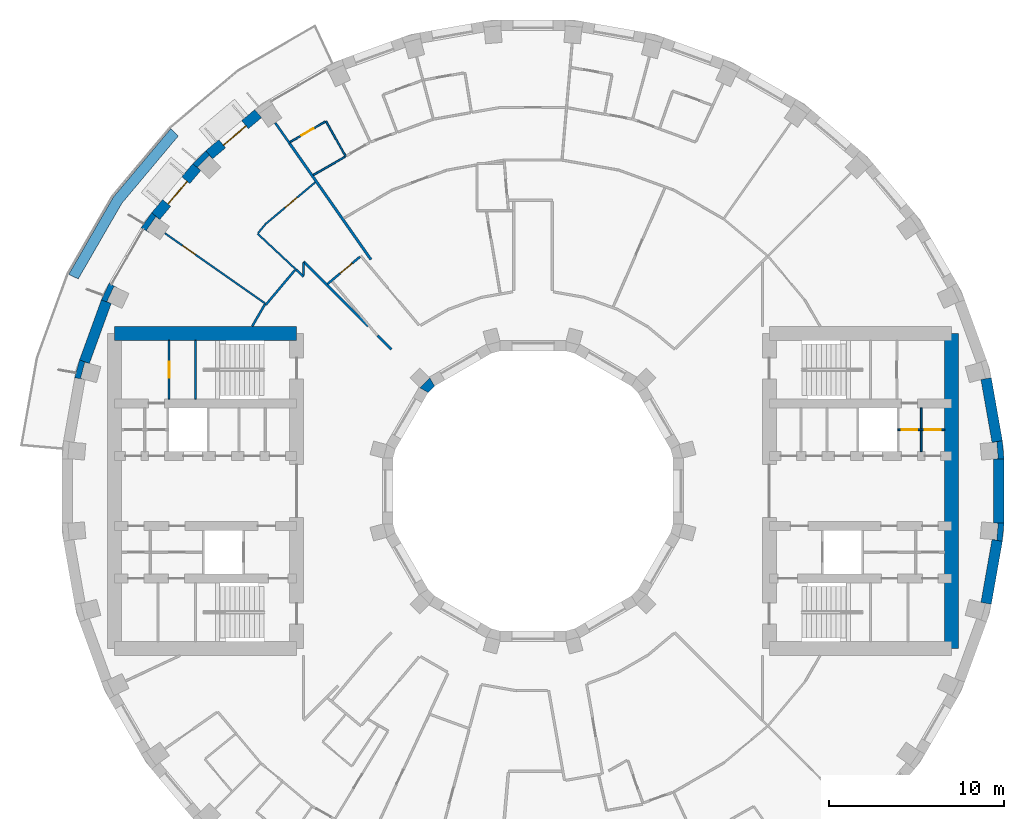
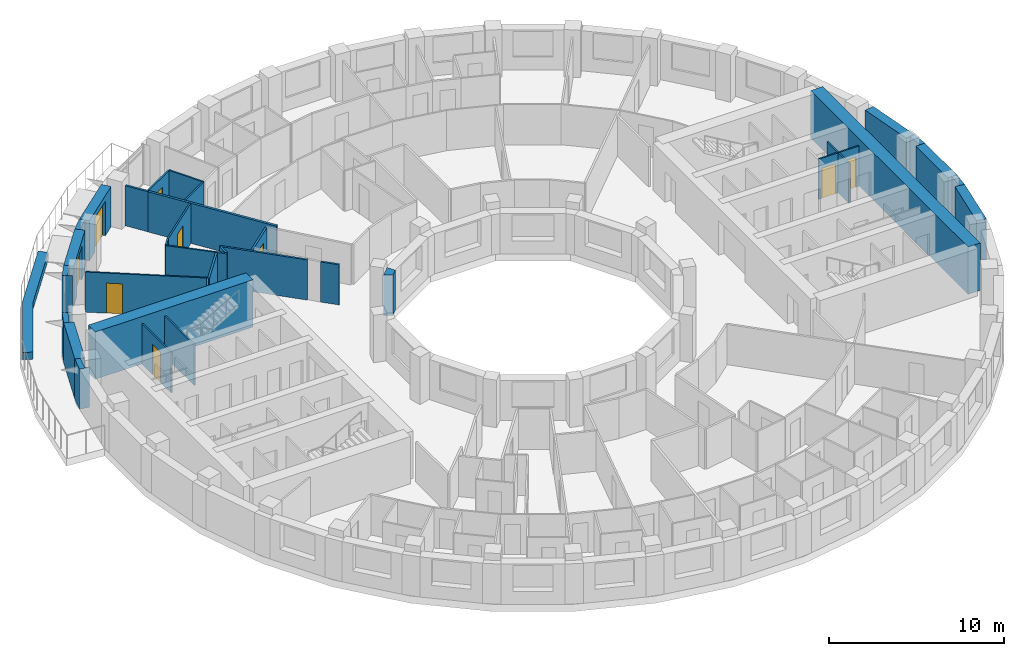
# One storey, part 10 of 14: 37 walls, 9 doors, 9 openings.
"""IFC4 building model written with IfcOpenShell, lengths in metres."""

from ifc_helpers import new_model, si_unit, direction, frame, frame_2d, origin, place, context, subcontext, project, spatial, polyline, rectangle, outline, extrude, material, layer, layer_set, type_object, element, fill, save


model = new_model("IFC4")

# Units and contexts
model_context = context("Model", 3, precision=1e-05, world=origin(), true_north=direction((0.0, 1.0)))
body_context = subcontext(model_context, "Body", "Model", "MODEL_VIEW")
ifc_project = project(units=[si_unit("LENGTHUNIT", "METRE"), si_unit("AREAUNIT", "SQUARE_METRE"), si_unit("VOLUMEUNIT", "CUBIC_METRE"), si_unit("PLANEANGLEUNIT", "RADIAN"), si_unit("MASSUNIT", "GRAM", prefix="KILO")], contexts=[model_context])

# Site, building, storey
site_placement = place(None, origin())
site = spatial("IfcSite", under=ifc_project, at=site_placement, CompositionType="ELEMENT")
building_placement = place(site_placement, origin())
building = spatial("IfcBuilding", under=site, at=building_placement, Name="Saqina Gate Tower", CompositionType="ELEMENT")
storey_placement = place(building_placement, frame((0.0, 0.0, 101.800048828125)))
storey = spatial("IfcBuildingStorey", under=building, at=storey_placement, Name="L28", CompositionType="ELEMENT", Elevation=101.800048828125)

# Walls
ifc_material_1 = material(Name="Brick masonry (buff)", Category="masonry")
wall_type_1 = type_object("IfcWallType", Name="BRICK PIER COPING BUFF", PredefinedType="SOLIDWALL", material=ifc_material_1)
wall_1_placement = place(storey_placement, origin())
element("IfcWall", 1, at=wall_1_placement, inside=storey, type_object=wall_type_1, Name="Pier cap L28 column 1", PredefinedType="SOLIDWALL", context=body_context, shape_type="SweptSolid", body=[
    extrude(outline(polyline([(26.805419921875, 2.87451171875), (26.214599609375, 2.770263671875), (26.482421875, 2.793701171875), (26.565185546875, 1.847412109375), (26.29736328125, 1.823974609375), (26.897216796875, 1.823974609375), (26.805419921875, 2.87451171875)])), origin(), (0.0, 0.0, 1.0), 2.800048828125),
])
wall_2_placement = place(storey_placement, origin())
element("IfcWall", 2, at=wall_2_placement, inside=storey, type_object=wall_type_1, Name="Pier cap L28 column 14", PredefinedType="SOLIDWALL", context=body_context, shape_type="SweptSolid", body=[
    extrude(outline(polyline([(-18.686279296875, 19.43212890625), (-19.43212890625, 18.686279296875), (-18.972412109375, 18.30078125), (-19.16259765625, 18.49072265625), (-18.49072265625, 19.16259765625), (-18.30078125, 18.972412109375), (-18.686279296875, 19.43212890625)])), origin(), (0.0, 0.0, 1.0), 2.800048828125),
])
wall_3_placement = place(storey_placement, origin())
element("IfcWall", 3, at=wall_3_placement, inside=storey, type_object=wall_type_1, Name="Pier cap L28 column 15", PredefinedType="SOLIDWALL", context=body_context, shape_type="SweptSolid", body=[
    extrude(outline(polyline([(-22.3818359375, 15.0283203125), (-21.862060546875, 14.728271484375), (-22.08251953125, 14.88232421875), (-21.53759765625, 15.66064453125), (-21.317138671875, 15.50634765625), (-21.77685546875, 15.89208984375), (-22.3818359375, 15.0283203125)])), origin(), (0.0, 0.0, 1.0), 2.800048828125),
])
wall_4_placement = place(storey_placement, origin())
element("IfcWall", 4, at=wall_4_placement, inside=storey, type_object=wall_type_1, Name="Pier cap L28 column 16", PredefinedType="SOLIDWALL", context=body_context, shape_type="SweptSolid", body=[
    extrude(outline(polyline([(-24.6513671875, 10.913330078125), (-24.08740234375, 10.7080078125), (-24.331298828125, 10.82177734375), (-23.9296875, 11.6826171875), (-23.68603515625, 11.569091796875), (-24.205810546875, 11.869140625), (-24.6513671875, 10.913330078125)])), origin(), (0.0, 0.0, 1.0), 2.800048828125),
])
wall_5_placement = place(storey_placement, origin())
element("IfcWall", 5, at=wall_5_placement, inside=storey, type_object=wall_type_1, Name="Pier cap L28 column 17", PredefinedType="SOLIDWALL", context=body_context, shape_type="SweptSolid", body=[
    extrude(outline(polyline([(-25.89892578125, 7.485595703125), (-26.171875, 6.466796875), (-25.5810546875, 6.36279296875), (-25.8408203125, 6.43212890625), (-25.5947265625, 7.349853515625), (-25.335205078125, 7.2802734375), (-25.89892578125, 7.485595703125)])), origin(), (0.0, 0.0, 1.0), 2.800048828125),
])
wall_6_placement = place(storey_placement, origin())
element("IfcWall", 6, at=wall_6_placement, inside=storey, type_object=wall_type_1, Name="Pier cap L28 column 36", PredefinedType="SOLIDWALL", context=body_context, shape_type="SweptSolid", body=[
    extrude(outline(polyline([(26.805419921875, -2.87451171875), (26.897216796875, -1.823974609375), (26.29736328125, -1.823974609375), (26.565185546875, -1.847412109375), (26.482421875, -2.793701171875), (26.214599609375, -2.770263671875), (26.805419921875, -2.87451171875)])), origin(), (0.0, 0.0, 1.0), 2.800048828125),
])
ifc_material_2 = material(Name="Gypsum board on steel studs", Category="steel")
ifc_layer_1 = layer(ifc_material_2, 0.10009765625)
ifc_layer_set_1 = layer_set([ifc_layer_1], Name="CORE PARTITION")
wall_type_2 = type_object("IfcWallType", Name="CORE PARTITION", PredefinedType="PARTITIONING", material=ifc_layer_set_1)
wall_7_placement = place(storey_placement, frame((22.169921875, 2.25, 0.0), z_axis=(0.0, 0.0, 1.0), x_axis=(0.0, 1.0, 0.0)))
element("IfcWall", 7, at=wall_7_placement, inside=storey, type_object=wall_type_2, Name="L28-CP-E05", PredefinedType="PARTITIONING", context=body_context, shape_type="SweptSolid", body=[
    extrude(rectangle(XDim=2.5, YDim=0.10009765625, at=frame_2d((1.25, 0.0))), origin(), (0.0, 0.0, 1.0), 2.800048828125),
])

# Wall, opening, door
wall_8_placement = place(storey_placement, frame((20.840087890625, 3.5, 0.0), z_axis=(0.0, 0.0, 1.0), x_axis=(1.0, 0.0, 0.0)))
wall_8 = element("IfcWall", 8, at=wall_8_placement, inside=storey, type_object=wall_type_2, Name="L28-CP-E09", PredefinedType="PARTITIONING", context=body_context, shape_type="SweptSolid", body=[
    extrude(rectangle(XDim=1.329833984375, YDim=0.10009765625, at=frame_2d((0.6650390625, 0.0))), origin(), (0.0, 0.0, 1.0), 2.800048828125),
])
opening_1_placement = place(wall_8_placement, frame((0.215087890625, 0.0, 0.0)))
opening_1 = element("IfcOpeningElement", 9, at=opening_1_placement, cuts=wall_8, Name="Opening G08-D99", PredefinedType="OPENING", context=body_context, shape_type="SweptSolid", body=[
    extrude(rectangle(XDim=0.89990234375, YDim=2.10009765625, at=frame_2d((0.449951171875, 1.050048828125))), frame((0.0, 0.06201171875, 0.0), z_axis=(0.0, -1.0, 0.0), x_axis=(1.0, 0.0, 0.0)), (0.0, 0.0, 1.0), 0.1240234375),
])
ifc_material_3 = material(Name="Steel-framed fire door leaf, EI 60", Category="steel")
door_type_1 = type_object("IfcDoorType", Name="SERVICE ROOM DOOR 900", OperationType="SINGLE_SWING_LEFT", PredefinedType="DOOR", material=ifc_material_3)
door_1_placement = place(opening_1_placement, origin())
door_1 = element("IfcDoor", 10, at=door_1_placement, inside=storey, type_object=door_type_1, Name="L28-CD-E10", OperationType="SINGLE_SWING_LEFT", OverallHeight=2.10009765625, OverallWidth=0.89990234375, PredefinedType="DOOR", context=body_context, shape_type="SweptSolid", body=[
    extrude(rectangle(XDim=0.89990234375, YDim=2.10009765625, at=frame_2d((0.449951171875, 1.050048828125))), frame((0.0, 0.02490234375, 0.0), z_axis=(0.0, -1.0, 0.0), x_axis=(1.0, 0.0, 0.0)), (0.0, 0.0, 1.0), 0.050048828125),
])
fill(opening_1, door_1)

wall_9_placement = place(storey_placement, frame((22.169921875, 3.5, 0.0), z_axis=(0.0, 0.0, 1.0), x_axis=(1.0, 0.0, 0.0)))
wall_9 = element("IfcWall", 11, at=wall_9_placement, inside=storey, type_object=wall_type_2, Name="L28-CP-E10", PredefinedType="PARTITIONING", context=body_context, shape_type="SweptSolid", body=[
    extrude(rectangle(XDim=1.330078125, YDim=0.10009765625, at=frame_2d((0.6650390625, 0.0))), origin(), (0.0, 0.0, 1.0), 2.800048828125),
])
opening_2_placement = place(wall_9_placement, frame((0.215087890625, 0.0, 0.0)))
opening_2 = element("IfcOpeningElement", 12, at=opening_2_placement, cuts=wall_9, Name="Opening G08-D98", PredefinedType="OPENING", context=body_context, shape_type="SweptSolid", body=[
    extrude(rectangle(XDim=0.89990234375, YDim=2.10009765625, at=frame_2d((0.449951171875, 1.050048828125))), frame((0.0, 0.06201171875, 0.0), z_axis=(0.0, -1.0, 0.0), x_axis=(1.0, 0.0, 0.0)), (0.0, 0.0, 1.0), 0.1240234375),
])
door_2_placement = place(opening_2_placement, origin())
door_2 = element("IfcDoor", 13, at=door_2_placement, inside=storey, type_object=door_type_1, Name="L28-CD-E09", OperationType="SINGLE_SWING_RIGHT", OverallHeight=2.10009765625, OverallWidth=0.89990234375, PredefinedType="DOOR", context=body_context, shape_type="SweptSolid", body=[
    extrude(rectangle(XDim=0.89990234375, YDim=2.10009765625, at=frame_2d((0.449951171875, 1.050048828125))), frame((0.0, 0.02490234375, 0.0), z_axis=(0.0, -1.0, 0.0), x_axis=(1.0, 0.0, 0.0)), (0.0, 0.0, 1.0), 0.050048828125),
])
fill(opening_2, door_2)

wall_10_placement = place(storey_placement, frame((-20.782958984375, 5.25, 0.0), z_axis=(0.0, 0.0, 1.0), x_axis=(0.0, 1.0, 0.0)))
wall_10 = element("IfcWall", 14, at=wall_10_placement, inside=storey, type_object=wall_type_2, Name="L28-CP-W14", PredefinedType="PARTITIONING", context=body_context, shape_type="SweptSolid", body=[
    extrude(rectangle(XDim=3.35009765625, YDim=0.10009765625, at=frame_2d((1.675048828125, 0.0))), origin(), (0.0, 0.0, 1.0), 2.800048828125),
])
opening_3_placement = place(wall_10_placement, frame((1.22509765625, 0.0, 0.0)))
opening_3 = element("IfcOpeningElement", 15, at=opening_3_placement, cuts=wall_10, Name="Opening G08-D120", PredefinedType="OPENING", context=body_context, shape_type="SweptSolid", body=[
    extrude(rectangle(XDim=0.89990234375, YDim=2.10009765625, at=frame_2d((0.449951171875, 1.050048828125))), frame((0.0, 0.06201171875, 0.0), z_axis=(0.0, -1.0, 0.0), x_axis=(1.0, 0.0, 0.0)), (0.0, 0.0, 1.0), 0.1240234375),
])
door_3_placement = place(opening_3_placement, origin())
door_3 = element("IfcDoor", 16, at=door_3_placement, inside=storey, type_object=door_type_1, Name="L28-CD-W31", OperationType="SINGLE_SWING_RIGHT", OverallHeight=2.10009765625, OverallWidth=0.89990234375, PredefinedType="DOOR", context=body_context, shape_type="SweptSolid", body=[
    extrude(rectangle(XDim=0.89990234375, YDim=2.10009765625, at=frame_2d((0.449951171875, 1.050048828125))), frame((0.0, 0.02490234375, 0.0), z_axis=(0.0, -1.0, 0.0), x_axis=(1.0, 0.0, 0.0)), (0.0, 0.0, 1.0), 0.050048828125),
])
fill(opening_3, door_3)

ifc_material_4 = material(Name="Brick masonry (buff)", Category="masonry")
ifc_layer_2 = layer(ifc_material_4, 0.60009765625)
ifc_layer_set_2 = layer_set([ifc_layer_2], Name="FW-BRICK-BUFF")
wall_type_3 = type_object("IfcWallType", Name="FW-BRICK-BUFF", PredefinedType="SOLIDWALL", material=ifc_layer_set_2)
wall_11_placement = place(storey_placement, frame((-15.69921875, 21.547119140625, 0.0), z_axis=(0.0, 0.0, 1.0), x_axis=(-0.766055462616, -0.642774476932, 0.0)))
wall_11 = element("IfcWall", 17, at=wall_11_placement, inside=storey, type_object=wall_type_3, Name="Facade wall L28 facet 13", PredefinedType="SOLIDWALL", context=body_context, shape_type="SweptSolid", body=[
    extrude(rectangle(XDim=3.647705078125, YDim=0.60009765625, at=frame_2d((1.82373046875, 0.0))), origin(), (0.0, 0.0, 1.0), 2.800048828125),
])
opening_4_placement = place(wall_11_placement, frame((0.973876953125, 0.0, 0.0)))
opening_4 = element("IfcOpeningElement", 18, at=opening_4_placement, cuts=wall_11, Name="Opening G08-D80", PredefinedType="OPENING", context=body_context, shape_type="SweptSolid", body=[
    extrude(rectangle(XDim=1.699951171875, YDim=2.39990234375, at=frame_2d((0.85009765625, 1.199951171875))), frame((0.0, 0.31201171875, 0.0), z_axis=(0.0, -1.0, 0.0), x_axis=(1.0, 0.0, 0.0)), (0.0, 0.0, 1.0), 0.6240234375),
])
ifc_material_5 = material(Name="Aluminium glazing", Category="aluminium")
door_type_2 = type_object("IfcDoorType", Name="GD-B", OperationType="DOUBLE_DOOR_SINGLE_SWING", PredefinedType="DOOR", material=ifc_material_5)
door_4_placement = place(opening_4_placement, frame((1.699951171875, 0.0, 0.0), z_axis=(0.0, 0.0, 1.0), x_axis=(-1.0, 0.0, 0.0)))
door_4 = element("IfcDoor", 19, at=door_4_placement, inside=storey, type_object=door_type_2, Name="Terrace door L28 facet 13", OperationType="DOUBLE_DOOR_SINGLE_SWING", OverallHeight=2.39990234375, OverallWidth=1.699951171875, PredefinedType="DOOR", context=body_context, shape_type="SweptSolid", body=[
    extrude(rectangle(XDim=1.699951171875, YDim=2.39990234375, at=frame_2d((0.85009765625, 1.199951171875))), frame((0.0, -0.0751953125, 0.0), z_axis=(0.0, -1.0, 0.0), x_axis=(1.0, 0.0, 0.0)), (0.0, 0.0, 1.0), 0.050048828125),
])
fill(opening_4, door_4)

wall_12_placement = place(storey_placement, frame((-19.202392578125, 18.49365234375, 0.0), z_axis=(0.0, 0.0, 1.0), x_axis=(-0.642774476932, -0.766055462616, 0.0)))
wall_12 = element("IfcWall", 20, at=wall_12_placement, inside=storey, type_object=wall_type_3, Name="Facade wall L28 facet 14", PredefinedType="SOLIDWALL", context=body_context, shape_type="SweptSolid", body=[
    extrude(rectangle(XDim=3.647705078125, YDim=0.60009765625, at=frame_2d((1.82373046875, 0.0))), origin(), (0.0, 0.0, 1.0), 2.800048828125),
])
opening_5_placement = place(wall_12_placement, frame((0.973876953125, 0.0, 0.0)))
opening_5 = element("IfcOpeningElement", 21, at=opening_5_placement, cuts=wall_12, Name="Opening G08-D81", PredefinedType="OPENING", context=body_context, shape_type="SweptSolid", body=[
    extrude(rectangle(XDim=1.699951171875, YDim=2.39990234375, at=frame_2d((0.85009765625, 1.199951171875))), frame((0.0, 0.31201171875, 0.0), z_axis=(0.0, -1.0, 0.0), x_axis=(1.0, 0.0, 0.0)), (0.0, 0.0, 1.0), 0.6240234375),
])
door_5_placement = place(opening_5_placement, frame((1.699951171875, 0.0, 0.0), z_axis=(0.0, 0.0, 1.0), x_axis=(-1.0, 0.0, 0.0)))
door_5 = element("IfcDoor", 22, at=door_5_placement, inside=storey, type_object=door_type_2, Name="Terrace door L28 facet 14", OperationType="DOUBLE_DOOR_SINGLE_SWING", OverallHeight=2.39990234375, OverallWidth=1.699951171875, PredefinedType="DOOR", context=body_context, shape_type="SweptSolid", body=[
    extrude(rectangle(XDim=1.699951171875, YDim=2.39990234375, at=frame_2d((0.85009765625, 1.199951171875))), frame((0.0, -0.0751953125, 0.0), z_axis=(0.0, -1.0, 0.0), x_axis=(1.0, 0.0, 0.0)), (0.0, 0.0, 1.0), 0.050048828125),
])
fill(opening_5, door_5)

# Walls
ifc_material_6 = material(Name="Glazed ceramic tile", Category="ceramic")
ifc_layer_3 = layer(ifc_material_6, 0.60009765625)
ifc_layer_set_3 = layer_set([ifc_layer_3], Name="FW-TILE")
wall_type_4 = type_object("IfcWallType", Name="FW-TILE", PredefinedType="SOLIDWALL", material=ifc_layer_set_3)
for number, where, z_axis, x_axis, name in (
    (23, (26.510009765625, 2.822265625, 0.0), (0.0, 0.0, 1.0), (-0.173670796382, 0.984803764455, 0.0), "Facade wall L28 facet 1"),
    (24, (25.87646484375, -6.414794921875, 0.0), (0.0, 0.0, 1.0), (0.173670796382, 0.984803764455, 0.0), "Facade wall L28 facet 35"),
):
    element("IfcWall", number, at=place(storey_placement, frame(where, z_axis=z_axis, x_axis=x_axis)), inside=storey, type_object=wall_type_4, Name=name, PredefinedType="SOLIDWALL", context=body_context, shape_type="SweptSolid", body=[
        extrude(rectangle(XDim=3.64794921875, YDim=0.60009765625, at=frame_2d((1.823974609375, 0.0))), origin(), (0.0, 0.0, 1.0), 2.800048828125),
    ])
ifc_material_7 = material(Name="Glazed ceramic tile (white)", Category="ceramic")
ifc_layer_4 = layer(ifc_material_7, 0.60009765625)
ifc_layer_set_4 = layer_set([ifc_layer_4], Name="FW-TILE-WH")
wall_type_5 = type_object("IfcWallType", Name="FW-TILE-WH", PredefinedType="SOLIDWALL", material=ifc_layer_set_4)
for number, where, z_axis, x_axis, name in (
    (25, (-24.369384765625, 10.810791015625, 0.0), (0.0, 0.0, 1.0), (-0.341990236633, -0.939703505393, 0.0), "Facade wall L28 facet 16"),
    (26, (26.59716796875, -1.823974609375, 0.0), (0.0, 0.0, 1.0), (0.0, 1.0, 0.0), "Facade wall L28 facet 36"),
):
    element("IfcWall", number, at=place(storey_placement, frame(where, z_axis=z_axis, x_axis=x_axis)), inside=storey, type_object=wall_type_5, Name=name, PredefinedType="SOLIDWALL", context=body_context, shape_type="SweptSolid", body=[
        extrude(rectangle(XDim=3.64794921875, YDim=0.60009765625, at=frame_2d((1.823974609375, 0.0))), origin(), (0.0, 0.0, 1.0), 2.800048828125),
    ])
ifc_material_8 = material(Name="Gypsum board on steel studs, 100 mm", Category="steel")
ifc_layer_5 = layer(ifc_material_8, 0.10009765625)
ifc_layer_set_5 = layer_set([ifc_layer_5], Name="PARTITION 100")
wall_type_6 = type_object("IfcWallType", Name="PARTITION 100", PredefinedType="PARTITIONING", material=ifc_layer_set_5)
wall_13_placement = place(storey_placement, frame((-11.822021484375, 21.114990234375, 0.0), z_axis=(0.0, 0.0, 1.0), x_axis=(0.488622759198, -0.872495157117, 0.0)))
element("IfcWall", 27, at=wall_13_placement, inside=storey, type_object=wall_type_6, Name="PARTITION PW3-14", PredefinedType="PARTITIONING", context=body_context, shape_type="SweptSolid", body=[
    extrude(rectangle(XDim=2.30029296875, YDim=0.10009765625, at=frame_2d((1.150146484375, 0.0))), origin(), (0.0, 0.0, 1.0), 2.800048828125),
])
wall_14_placement = place(storey_placement, frame((-15.73095703125, 14.697021484375, 0.0), z_axis=(0.0, 0.0, 1.0), x_axis=(0.730698385908, -0.682700423928, 0.0)))
element("IfcWall", 28, at=wall_14_placement, inside=storey, type_object=wall_type_6, Name="PARTITION PW3-22", PredefinedType="PARTITIONING", context=body_context, shape_type="SweptSolid", body=[
    extrude(rectangle(XDim=3.0263671875, YDim=0.10009765625, at=frame_2d((1.51318359375, 0.0))), origin(), (0.0, 0.0, 1.0), 2.800048828125),
])

# Wall, opening, door
wall_15_placement = place(storey_placement, frame((-21.023681640625, 14.720703125, 0.0), z_axis=(0.0, 0.0, 1.0), x_axis=(0.81911727686, -0.573626086183, 0.0)))
wall_15 = element("IfcWall", 29, at=wall_15_placement, inside=storey, type_object=wall_type_6, Name="PARTITION PW3-27", PredefinedType="PARTITIONING", context=body_context, shape_type="SweptSolid", body=[
    extrude(rectangle(XDim=7.004150390625, YDim=0.10009765625, at=frame_2d((3.501953125, 0.0))), origin(), (0.0, 0.0, 1.0), 2.800048828125),
])
opening_6_placement = place(wall_15_placement, frame((1.226318359375, 0.0, 0.0)))
opening_6 = element("IfcOpeningElement", 30, at=opening_6_placement, cuts=wall_15, Name="Opening G08-D21", PredefinedType="OPENING", context=body_context, shape_type="SweptSolid", body=[
    extrude(rectangle(XDim=0.89990234375, YDim=2.10009765625, at=frame_2d((0.449951171875, 1.050048828125))), frame((0.0, 0.06201171875, 0.0), z_axis=(0.0, -1.0, 0.0), x_axis=(1.0, 0.0, 0.0)), (0.0, 0.0, 1.0), 0.1240234375),
])
ifc_material_9 = material(Name="Timber door leaf, 900 mm", Category="wood")
door_type_3 = type_object("IfcDoorType", Name="DOOR 900 TIMBER", OperationType="SINGLE_SWING_LEFT", PredefinedType="DOOR", material=ifc_material_9)
door_6_placement = place(opening_6_placement, origin())
door_6 = element("IfcDoor", 31, at=door_6_placement, inside=storey, type_object=door_type_3, Name="DOOR G08-D21", OperationType="SINGLE_SWING_LEFT", OverallHeight=2.10009765625, OverallWidth=0.89990234375, PredefinedType="DOOR", context=body_context, shape_type="SweptSolid", body=[
    extrude(rectangle(XDim=0.89990234375, YDim=2.10009765625, at=frame_2d((0.449951171875, 1.050048828125))), frame((0.0, 0.02490234375, 0.0), z_axis=(0.0, -1.0, 0.0), x_axis=(1.0, 0.0, 0.0)), (0.0, 0.0, 1.0), 0.050048828125),
])
fill(opening_6, door_6)

# Wall
wall_16_placement = place(storey_placement, frame((-12.5419921875, 18.0439453125, 0.0), z_axis=(0.0, 0.0, 1.0), x_axis=(0.866154304779, 0.499776670437, 0.0)))
element("IfcWall", 32, at=wall_16_placement, inside=storey, type_object=wall_type_6, Name="PARTITION PW3-66", PredefinedType="PARTITIONING", context=body_context, shape_type="SweptSolid", body=[
    extrude(rectangle(XDim=2.0791015625, YDim=0.10009765625, at=frame_2d((1.03955078125, 0.0))), origin(), (0.0, 0.0, 1.0), 2.800048828125),
])

# Wall, opening, door
wall_17_placement = place(storey_placement, frame((-13.866943359375, 19.9345703125, 0.0), z_axis=(0.0, 0.0, 1.0), x_axis=(0.866057184078, 0.499944950877, 0.0)))
wall_17 = element("IfcWall", 33, at=wall_17_placement, inside=storey, type_object=wall_type_6, Name="PARTITION PW3-67", PredefinedType="PARTITIONING", context=body_context, shape_type="SweptSolid", body=[
    extrude(rectangle(XDim=2.311279296875, YDim=0.10009765625, at=frame_2d((1.15576171875, 0.0))), origin(), (0.0, 0.0, 1.0), 2.800048828125),
])
opening_7_placement = place(wall_17_placement, frame((0.742919921875, 0.0, 0.0)))
opening_7 = element("IfcOpeningElement", 34, at=opening_7_placement, cuts=wall_17, Name="Opening G08-D17", PredefinedType="OPENING", context=body_context, shape_type="SweptSolid", body=[
    extrude(rectangle(XDim=0.800048828125, YDim=2.10009765625, at=frame_2d((0.39990234375, 1.050048828125))), frame((0.0, 0.06201171875, 0.0), z_axis=(0.0, -1.0, 0.0), x_axis=(1.0, 0.0, 0.0)), (0.0, 0.0, 1.0), 0.1240234375),
])
ifc_material_10 = material(Name="Timber door leaf, 800 mm", Category="wood")
door_type_4 = type_object("IfcDoorType", Name="DOOR 800 TIMBER", OperationType="SINGLE_SWING_LEFT", PredefinedType="DOOR", material=ifc_material_10)
door_7_placement = place(opening_7_placement, origin())
door_7 = element("IfcDoor", 35, at=door_7_placement, inside=storey, type_object=door_type_4, Name="DOOR G08-D17", OperationType="SINGLE_SWING_LEFT", OverallHeight=2.10009765625, OverallWidth=0.800048828125, PredefinedType="DOOR", context=body_context, shape_type="SweptSolid", body=[
    extrude(rectangle(XDim=0.800048828125, YDim=2.10009765625, at=frame_2d((0.39990234375, 1.050048828125))), frame((0.0, 0.02490234375, 0.0), z_axis=(0.0, -1.0, 0.0), x_axis=(1.0, 0.0, 0.0)), (0.0, 0.0, 1.0), 0.050048828125),
])
fill(opening_7, door_7)

wall_18_placement = place(storey_placement, frame((-15.2978515625, 15.226318359375, 0.0), z_axis=(0.0, 0.0, 1.0), x_axis=(0.766080513043, 0.642744620775, 0.0)))
wall_18 = element("IfcWall", 36, at=wall_18_placement, inside=storey, type_object=wall_type_6, Name="PARTITION PW3-70", PredefinedType="PARTITIONING", context=body_context, shape_type="SweptSolid", body=[
    extrude(rectangle(XDim=3.7373046875, YDim=0.10009765625, at=frame_2d((1.86865234375, 0.0))), origin(), (0.0, 0.0, 1.0), 2.800048828125),
])
opening_8_placement = place(wall_18_placement, frame((1.481689453125, 0.0, 0.0)))
opening_8 = element("IfcOpeningElement", 37, at=opening_8_placement, cuts=wall_18, Name="Opening G08-D20", PredefinedType="OPENING", context=body_context, shape_type="SweptSolid", body=[
    extrude(rectangle(XDim=0.89990234375, YDim=2.10009765625, at=frame_2d((0.449951171875, 1.050048828125))), frame((0.0, 0.06201171875, 0.0), z_axis=(0.0, -1.0, 0.0), x_axis=(1.0, 0.0, 0.0)), (0.0, 0.0, 1.0), 0.1240234375),
])
door_8_placement = place(opening_8_placement, origin())
door_8 = element("IfcDoor", 38, at=door_8_placement, inside=storey, type_object=door_type_3, Name="DOOR G08-D20", OperationType="SINGLE_SWING_RIGHT", OverallHeight=2.10009765625, OverallWidth=0.89990234375, PredefinedType="DOOR", context=body_context, shape_type="SweptSolid", body=[
    extrude(rectangle(XDim=0.89990234375, YDim=2.10009765625, at=frame_2d((0.449951171875, 1.050048828125))), frame((0.0, 0.02490234375, 0.0), z_axis=(0.0, -1.0, 0.0), x_axis=(1.0, 0.0, 0.0)), (0.0, 0.0, 1.0), 0.050048828125),
])
fill(opening_8, door_8)

# Walls
wall_19_placement = place(storey_placement, frame((-15.69873046875, 14.7353515625, 0.0), z_axis=(0.0, 0.0, 1.0), x_axis=(0.642984258382, 0.765879392249, 0.0)))
element("IfcWall", 39, at=wall_19_placement, inside=storey, type_object=wall_type_6, Name="PARTITION PW3-76", PredefinedType="PARTITIONING", context=body_context, shape_type="SweptSolid", body=[
    extrude(rectangle(XDim=0.6337890625, YDim=0.10009765625, at=frame_2d((0.31689453125, 0.0))), origin(), (0.0, 0.0, 1.0), 2.800048828125),
])
ifc_material_11 = material(Name="Gypsum board on steel studs, 125 mm, fire rated", Category="steel")
ifc_layer_6 = layer(ifc_material_11, 0.125)
ifc_layer_set_6 = layer_set([ifc_layer_6], Name="PARTITION EI 30 125")
wall_type_7 = type_object("IfcWallType", Name="PARTITION EI 30 125", PredefinedType="PARTITIONING", material=ifc_layer_set_6)
wall_20_placement = place(storey_placement, frame((-14.720703125, 21.023681640625, 0.0), z_axis=(0.0, 0.0, 1.0), x_axis=(0.573405364028, -0.819271803801, 0.0)))
element("IfcWall", 40, at=wall_20_placement, inside=storey, type_object=wall_type_7, Name="PARTITION PW1-03", PredefinedType="PARTITIONING", context=body_context, shape_type="SweptSolid", body=[
    extrude(rectangle(XDim=1.437744140625, YDim=0.125, at=frame_2d((0.71875, 0.0))), origin(), (0.0, 0.0, 1.0), 2.800048828125),
])
wall_21_placement = place(storey_placement, frame((-8.875244140625, 8.876220703125, 0.0), z_axis=(0.0, 0.0, 1.0), x_axis=(0.706666079052, -0.707547208826, 0.0)))
element("IfcWall", 41, at=wall_21_placement, inside=storey, type_object=wall_type_7, Name="PARTITION PW1-08", PredefinedType="PARTITIONING", context=body_context, shape_type="SweptSolid", body=[
    extrude(rectangle(XDim=1.1083984375, YDim=0.125, at=frame_2d((0.55419921875, 0.0))), origin(), (0.0, 0.0, 1.0), 2.800048828125),
])
wall_22_placement = place(storey_placement, frame((-13.10107421875, 13.09912109375, 0.0), z_axis=(0.0, 0.0, 1.0), x_axis=(0.707106781187, -0.707106781187, 0.0)))
element("IfcWall", 42, at=wall_22_placement, inside=storey, type_object=wall_type_7, Name="PARTITION PW1-09", PredefinedType="PARTITIONING", context=body_context, shape_type="SweptSolid", body=[
    extrude(rectangle(XDim=5.202880859375, YDim=0.125, at=frame_2d((2.6015625, 0.0))), origin(), (0.0, 0.0, 1.0), 2.800048828125),
])
wall_23_placement = place(storey_placement, frame((-13.51953125, 12.630859375, 0.0), z_axis=(0.0, 0.0, 1.0), x_axis=(0.730729867614, -0.682666727311, 0.0)))
element("IfcWall", 43, at=wall_23_placement, inside=storey, type_object=wall_type_7, Name="PARTITION PW1-11", PredefinedType="PARTITIONING", context=body_context, shape_type="SweptSolid", body=[
    extrude(rectangle(XDim=0.573974609375, YDim=0.125, at=frame_2d((0.287109375, 0.0))), origin(), (0.0, 0.0, 1.0), 2.800048828125),
])

# Wall, opening, door
wall_24_placement = place(storey_placement, frame((-11.735595703125, 11.822021484375, 0.0), z_axis=(0.0, 0.0, 1.0), x_axis=(0.765966295507, 0.642880730888, 0.0)))
wall_24 = element("IfcWall", 44, at=wall_24_placement, inside=storey, type_object=wall_type_7, Name="PARTITION PW1-44", PredefinedType="PARTITIONING", context=body_context, shape_type="SweptSolid", body=[
    extrude(rectangle(XDim=2.427734375, YDim=0.125, at=frame_2d((1.2138671875, 0.0))), origin(), (0.0, 0.0, 1.0), 2.800048828125),
])
opening_9_placement = place(wall_24_placement, frame((0.940673828125, 0.0, 0.0)))
opening_9 = element("IfcOpeningElement", 45, at=opening_9_placement, cuts=wall_24, Name="Opening G08-D19", PredefinedType="OPENING", context=body_context, shape_type="SweptSolid", body=[
    extrude(rectangle(XDim=0.89990234375, YDim=2.10009765625, at=frame_2d((0.449951171875, 1.050048828125))), frame((0.0, 0.074462890625, 0.0), z_axis=(0.0, -1.0, 0.0), x_axis=(1.0, 0.0, 0.0)), (0.0, 0.0, 1.0), 0.14892578125),
])
ifc_material_12 = material(Name="Fire door leaf EI 30, 900 mm")
door_type_5 = type_object("IfcDoorType", Name="DOOR 900 EI 30", OperationType="SINGLE_SWING_LEFT", PredefinedType="DOOR", material=ifc_material_12)
door_9_placement = place(opening_9_placement, origin())
door_9 = element("IfcDoor", 46, at=door_9_placement, inside=storey, type_object=door_type_5, Name="DOOR G08-D19", OperationType="SINGLE_SWING_RIGHT", OverallHeight=2.10009765625, OverallWidth=0.89990234375, PredefinedType="DOOR", context=body_context, shape_type="SweptSolid", body=[
    extrude(rectangle(XDim=0.89990234375, YDim=2.10009765625, at=frame_2d((0.449951171875, 1.050048828125))), frame((0.0, 0.02490234375, 0.0), z_axis=(0.0, -1.0, 0.0), x_axis=(1.0, 0.0, 0.0)), (0.0, 0.0, 1.0), 0.050048828125),
])
fill(opening_9, door_9)

# Walls
wall_25_placement = place(storey_placement, frame((-15.260986328125, 10.63037109375, 0.0), z_axis=(0.0, 0.0, 1.0), x_axis=(0.642663987788, 0.766148157213, 0.0)))
element("IfcWall", 47, at=wall_25_placement, inside=storey, type_object=wall_type_7, Name="PARTITION PW1-50", PredefinedType="PARTITIONING", context=body_context, shape_type="SweptSolid", body=[
    extrude(rectangle(XDim=2.592041015625, YDim=0.125, at=frame_2d((1.2958984375, 0.0))), origin(), (0.0, 0.0, 1.0), 2.800048828125),
])
wall_26_placement = place(storey_placement, frame((-16.0390625, 9.40087890625, 0.0), z_axis=(0.0, 0.0, 1.0), x_axis=(0.499950205064, 0.866054150996, 0.0)))
element("IfcWall", 48, at=wall_26_placement, inside=storey, type_object=wall_type_7, Name="PARTITION PW1-51", PredefinedType="PARTITIONING", context=body_context, shape_type="SweptSolid", body=[
    extrude(rectangle(XDim=1.453857421875, YDim=0.125, at=frame_2d((0.72705078125, 0.0))), origin(), (0.0, 0.0, 1.0), 2.800048828125),
])
wall_27_placement = place(storey_placement, frame((-13.10009765625, 12.30859375, 0.0), z_axis=(0.0, 0.0, 1.0), x_axis=(0.0, 1.0, 0.0)))
element("IfcWall", 49, at=wall_27_placement, inside=storey, type_object=wall_type_7, Name="PARTITION PW1-60", PredefinedType="PARTITIONING", context=body_context, shape_type="SweptSolid", body=[
    extrude(rectangle(XDim=0.72802734375, YDim=0.125, at=frame_2d((0.364013671875, 0.0))), origin(), (0.0, 0.0, 1.0), 2.800048828125),
])
ifc_material_13 = material(Name="Gypsum board on steel studs, 150 mm, fire rated", Category="steel")
ifc_layer_7 = layer(ifc_material_13, 0.14990234375)
ifc_layer_set_7 = layer_set([ifc_layer_7], Name="PARTITION EI 60 150")
wall_type_8 = type_object("IfcWallType", Name="PARTITION EI 60 150", PredefinedType="PARTITIONING", material=ifc_layer_set_7)
wall_28_placement = place(storey_placement, frame((-13.896240234375, 19.845703125, 0.0), z_axis=(0.0, 0.0, 1.0), x_axis=(0.573571733859, -0.819155336989, 0.0)))
element("IfcWall", 50, at=wall_28_placement, inside=storey, type_object=wall_type_8, Name="PARTITION PW2-01", PredefinedType="PARTITIONING", context=body_context, shape_type="SweptSolid", body=[
    extrude(rectangle(XDim=8.088134765625, YDim=0.14990234375, at=frame_2d((4.0439453125, 0.0))), origin(), (0.0, 0.0, 1.0), 2.800048828125),
])
ifc_material_14 = material(Name="Brick masonry (red)", Category="masonry")
ifc_layer_8 = layer(ifc_material_14, 0.60009765625)
ifc_layer_set_8 = layer_set([ifc_layer_8], Name="PL-PLANTER")
wall_type_9 = type_object("IfcWallType", Name="PL-PLANTER", PredefinedType="PARAPET", material=ifc_layer_set_8)
wall_29_placement = place(storey_placement, origin())
element("IfcWall", 51, at=wall_29_placement, inside=storey, type_object=wall_type_9, Name="Planter L28", PredefinedType="PARAPET", context=body_context, shape_type="SweptSolid", body=[
    extrude(outline(polyline([(-20.68896484375, 20.68896484375), (-23.96728515625, 16.781982421875), (-26.517333984375, 12.365234375), (-25.971435546875, 12.110595703125), (-23.473876953125, 16.4365234375), (-20.26318359375, 20.26318359375), (-20.68896484375, 20.68896484375)])), origin(), (0.0, 0.0, 1.0), 0.5),
])
ifc_material_15 = material(Name="Autoclaved aerated concrete block", Category="concrete")
ifc_layer_9 = layer(ifc_material_15, 0.10009765625)
ifc_layer_set_9 = layer_set([ifc_layer_9], Name="STAIR ENCLOSURE WALL")
wall_type_10 = type_object("IfcWallType", Name="STAIR ENCLOSURE WALL", PredefinedType="PARTITIONING", material=ifc_layer_set_9)
wall_30_placement = place(storey_placement, frame((-19.27001953125, 5.25, 0.0), z_axis=(0.0, 0.0, 1.0), x_axis=(0.0, 1.0, 0.0)))
element("IfcWall", 52, at=wall_30_placement, inside=storey, type_object=wall_type_10, Name="L28-CP-W13", PredefinedType="PARTITIONING", context=body_context, shape_type="SweptSolid", body=[
    extrude(rectangle(XDim=3.35009765625, YDim=0.10009765625, at=frame_2d((1.675048828125, 0.0))), origin(), (0.0, 0.0, 1.0), 2.800048828125),
])
ifc_material_16 = material(Name="Concrete C70/85", Category="concrete")
ifc_layer_10 = layer(ifc_material_16, 0.800048828125)
ifc_layer_set_10 = layer_set([ifc_layer_10], Name="Concrete C70/85")
wall_type_11 = type_object("IfcWallType", Name="STR-CORE WALL-B-O", PredefinedType="SHEAR", material=ifc_layer_set_10)
wall_31_placement = place(storey_placement, frame((23.89990234375, -9.0, 0.0), z_axis=(0.0, 0.0, 1.0), x_axis=(0.0, 1.0, 0.0)))
element("IfcWall", 53, at=wall_31_placement, inside=storey, type_object=wall_type_11, Name="CORE WALL L28 E-W2", PredefinedType="SHEAR", context=body_context, shape_type="SweptSolid", body=[
    extrude(rectangle(XDim=18.0, YDim=0.800048828125, at=frame_2d((9.0, 0.0))), origin(), (0.0, 0.0, 1.0), 3.300048828125),
])
wall_32_placement = place(storey_placement, frame((-13.5, 9.0, 0.0), z_axis=(0.0, 0.0, 1.0), x_axis=(-1.0, 0.0, 0.0)))
element("IfcWall", 54, at=wall_32_placement, inside=storey, type_object=wall_type_11, Name="CORE WALL L28 W-NE", PredefinedType="SHEAR", context=body_context, shape_type="SweptSolid", body=[
    extrude(rectangle(XDim=10.39990234375, YDim=0.800048828125, at=frame_2d((5.199951171875, 0.0))), origin(), (0.0, 0.0, 1.0), 3.300048828125),
])
ifc_material_17 = material(Name="Glazed ceramic tile", Category="ceramic")
wall_type_12 = type_object("IfcWallType", Name="TILE PIER COPING", PredefinedType="SOLIDWALL", material=ifc_material_17)
wall_33_placement = place(storey_placement, origin())
element("IfcWall", 55, at=wall_33_placement, inside=storey, type_object=wall_type_12, Name="Well pier cap L28 column 5", PredefinedType="SOLIDWALL", context=body_context, shape_type="SweptSolid", body=[
    extrude(outline(polyline([(-6.45751953125, 5.891845703125), (-5.991455078125, 5.622802734375), (-5.622802734375, 5.991455078125), (-5.891845703125, 6.45751953125), (-6.45751953125, 5.891845703125)])), origin(), (0.0, 0.0, 1.0), 2.800048828125),
])

save(model, "model.ifc")
